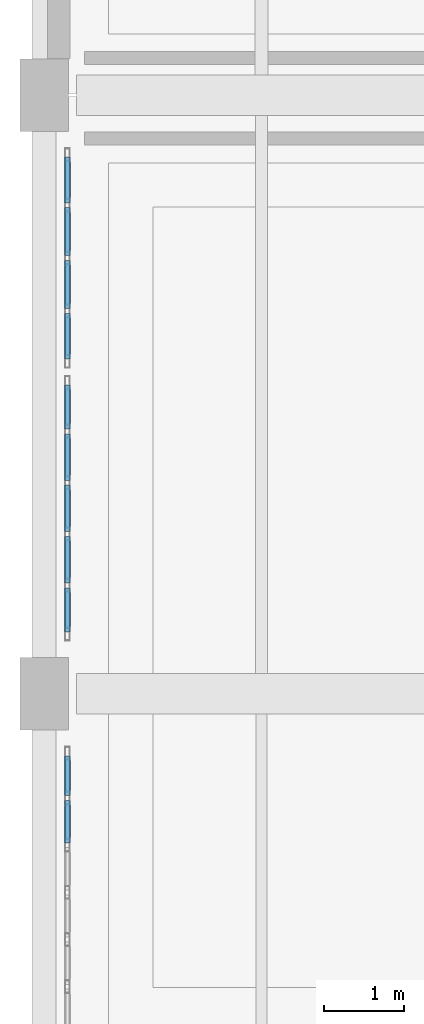
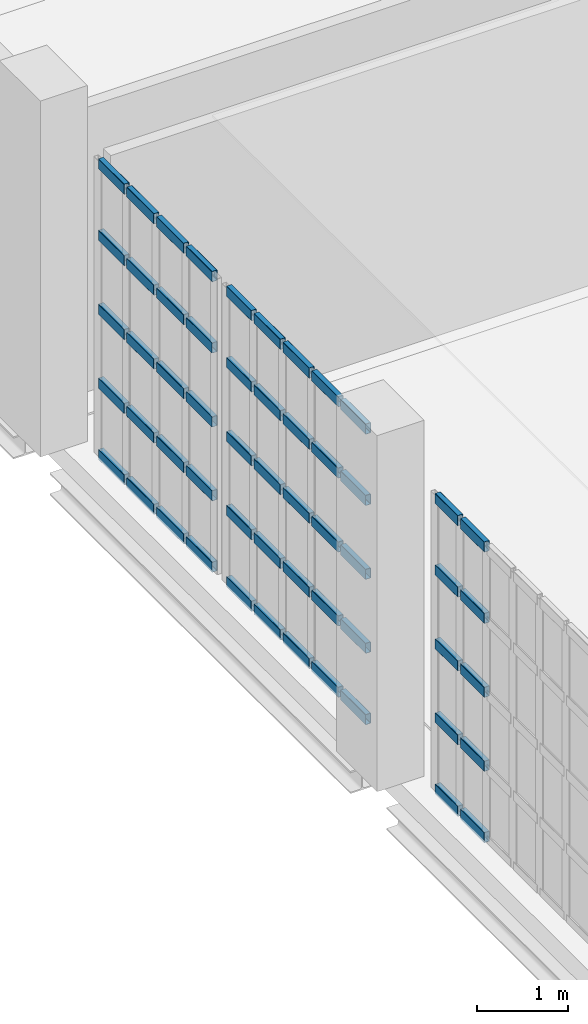
# One storey, part 56 of 104: 55 members, 3 elements without a shape of their own.
"""IFC4 building model written with IfcOpenShell, lengths in metres."""

from ifc_helpers import new_model, si_unit, direction, frame, origin, origin_2d, place, context, subcontext, project, spatial, hollow_rectangle, extrude, material, material_profile, profile_set, type_object, element, aggregate, save


model = new_model("IFC4")

# Units and contexts
model_context = context("Model", 3, precision=1e-05, world=origin(), true_north=direction((0.0, 1.0)))
body_context = subcontext(model_context, "Body", "Model", "MODEL_VIEW")
ifc_project = project(units=[si_unit("LENGTHUNIT", "METRE"), si_unit("AREAUNIT", "SQUARE_METRE"), si_unit("VOLUMEUNIT", "CUBIC_METRE"), si_unit("PLANEANGLEUNIT", "RADIAN"), si_unit("MASSUNIT", "GRAM", prefix="KILO")], contexts=[model_context])

# Site, building, storey
site_placement = place(None, origin())
site = spatial("IfcSite", under=ifc_project, at=site_placement, CompositionType="ELEMENT")
building_placement = place(site_placement, origin())
building = spatial("IfcBuilding", under=site, at=building_placement, Name="Kaelora Sail Theatre", CompositionType="ELEMENT")
storey_placement = place(building_placement, frame((0.0, 0.0, 5.39990234375)))
storey = spatial("IfcBuildingStorey", under=building, at=storey_placement, Name="L01", CompositionType="ELEMENT", Elevation=5.39990234375)

# Curtain wall, members
ifc_material_1 = material(Name="Anodised aluminium and solar-control low-E IGU", Category="aluminium")
curtain_wall_type = type_object("IfcCurtainWallType", Name="ARC-CW-CW-PROW", PredefinedType="NOTDEFINED", material=ifc_material_1)
curtain_wall_1_placement = place(storey_placement, origin())
curtain_wall_1 = element("IfcCurtainWall", 1, at=curtain_wall_1_placement, inside=storey, type_object=curtain_wall_type, Name="Glazed Colonnade/Courtyard Curtain Wall FW1-W-L01-02", PredefinedType="NOTDEFINED")
ifc_material_2 = material(Name="Anodised aluminium 6063-T6", Category="aluminium")
ifc_material_profile = material_profile(ifc_material_2, hollow_rectangle(XDim=0.070068359375, YDim=0.139892578125, WallThickness=0.00390625, InnerFilletRadius=0.00390625, OuterFilletRadius=0.008056640625, at=origin_2d()), Name="ALU-TRAN 70x140x4")
ifc_profile_set = profile_set([ifc_material_profile], Name="Anodised aluminium 6063-T6")
member_type = type_object("IfcMemberType", Name="ARC-MEM-TR-140", PredefinedType="USERDEFINED", material=ifc_profile_set)
member_1_placement = place(storey_placement, frame((1.7900390625, 74.047607421875, 0.03515625), z_axis=(0.0, 1.0, 0.0), x_axis=(-1.0, 0.0, 0.0)))
member_1 = element("IfcMember", 2, at=member_1_placement, type_object=member_type, Name="CW-PROW transom 7.1", ObjectType="TRANSOM", PredefinedType="USERDEFINED", context=body_context, shape_type="SweptSolid", body=[
    extrude(hollow_rectangle(XDim=0.070068359375, YDim=0.139892578125, WallThickness=0.00390625, InnerFilletRadius=0.00390625, OuterFilletRadius=0.008056640625, at=origin_2d()), origin(), (0.0, 0.0, 1.0), 0.526123046875),
])
member_2_placement = place(storey_placement, frame((1.7900390625, 74.047607421875, 0.996826171875), z_axis=(0.0, 1.0, 0.0), x_axis=(-1.0, 0.0, 0.0)))
member_2 = element("IfcMember", 3, at=member_2_placement, type_object=member_type, Name="CW-PROW transom 7.2", ObjectType="TRANSOM", PredefinedType="USERDEFINED", context=body_context, shape_type="SweptSolid", body=[
    extrude(hollow_rectangle(XDim=0.070068359375, YDim=0.139892578125, WallThickness=0.00390625, InnerFilletRadius=0.00390625, OuterFilletRadius=0.008056640625, at=origin_2d()), origin(), (0.0, 0.0, 1.0), 0.526123046875),
])
member_3_placement = place(storey_placement, frame((1.7900390625, 74.047607421875, 1.99365234375), z_axis=(0.0, 1.0, 0.0), x_axis=(-1.0, 0.0, 0.0)))
member_3 = element("IfcMember", 4, at=member_3_placement, type_object=member_type, Name="CW-PROW transom 7.3", ObjectType="TRANSOM", PredefinedType="USERDEFINED", context=body_context, shape_type="SweptSolid", body=[
    extrude(hollow_rectangle(XDim=0.070068359375, YDim=0.139892578125, WallThickness=0.00390625, InnerFilletRadius=0.00390625, OuterFilletRadius=0.008056640625, at=origin_2d()), origin(), (0.0, 0.0, 1.0), 0.526123046875),
])
member_4_placement = place(storey_placement, frame((1.7900390625, 74.047607421875, 2.990234375), z_axis=(0.0, 1.0, 0.0), x_axis=(-1.0, 0.0, 0.0)))
member_4 = element("IfcMember", 5, at=member_4_placement, type_object=member_type, Name="CW-PROW transom 7.4", ObjectType="TRANSOM", PredefinedType="USERDEFINED", context=body_context, shape_type="SweptSolid", body=[
    extrude(hollow_rectangle(XDim=0.070068359375, YDim=0.139892578125, WallThickness=0.00390625, InnerFilletRadius=0.00390625, OuterFilletRadius=0.008056640625, at=origin_2d()), origin(), (0.0, 0.0, 1.0), 0.526123046875),
])
member_5_placement = place(storey_placement, frame((1.7900390625, 74.047607421875, 3.9521484375), z_axis=(0.0, 1.0, 0.0), x_axis=(-1.0, 0.0, 0.0)))
member_5 = element("IfcMember", 6, at=member_5_placement, type_object=member_type, Name="CW-PROW transom 7.5", ObjectType="TRANSOM", PredefinedType="USERDEFINED", context=body_context, shape_type="SweptSolid", body=[
    extrude(hollow_rectangle(XDim=0.070068359375, YDim=0.139892578125, WallThickness=0.00390625, InnerFilletRadius=0.00390625, OuterFilletRadius=0.008056640625, at=origin_2d()), origin(), (0.0, 0.0, 1.0), 0.526123046875),
])
member_6_placement = place(storey_placement, frame((1.7900390625, 74.6337890625, 0.03515625), z_axis=(0.0, 1.0, 0.0), x_axis=(-1.0, 0.0, 0.0)))
member_6 = element("IfcMember", 7, at=member_6_placement, type_object=member_type, Name="CW-PROW transom 8.1", ObjectType="TRANSOM", PredefinedType="USERDEFINED", context=body_context, shape_type="SweptSolid", body=[
    extrude(hollow_rectangle(XDim=0.070068359375, YDim=0.139892578125, WallThickness=0.00390625, InnerFilletRadius=0.00390625, OuterFilletRadius=0.008056640625, at=origin_2d()), origin(), (0.0, 0.0, 1.0), 0.49609375),
])
member_7_placement = place(storey_placement, frame((1.7900390625, 74.6337890625, 0.996826171875), z_axis=(0.0, 1.0, 0.0), x_axis=(-1.0, 0.0, 0.0)))
member_7 = element("IfcMember", 8, at=member_7_placement, type_object=member_type, Name="CW-PROW transom 8.2", ObjectType="TRANSOM", PredefinedType="USERDEFINED", context=body_context, shape_type="SweptSolid", body=[
    extrude(hollow_rectangle(XDim=0.070068359375, YDim=0.139892578125, WallThickness=0.00390625, InnerFilletRadius=0.00390625, OuterFilletRadius=0.008056640625, at=origin_2d()), origin(), (0.0, 0.0, 1.0), 0.49609375),
])
member_8_placement = place(storey_placement, frame((1.7900390625, 74.6337890625, 1.99365234375), z_axis=(0.0, 1.0, 0.0), x_axis=(-1.0, 0.0, 0.0)))
member_8 = element("IfcMember", 9, at=member_8_placement, type_object=member_type, Name="CW-PROW transom 8.3", ObjectType="TRANSOM", PredefinedType="USERDEFINED", context=body_context, shape_type="SweptSolid", body=[
    extrude(hollow_rectangle(XDim=0.070068359375, YDim=0.139892578125, WallThickness=0.00390625, InnerFilletRadius=0.00390625, OuterFilletRadius=0.008056640625, at=origin_2d()), origin(), (0.0, 0.0, 1.0), 0.49609375),
])
member_9_placement = place(storey_placement, frame((1.7900390625, 74.6337890625, 2.990234375), z_axis=(0.0, 1.0, 0.0), x_axis=(-1.0, 0.0, 0.0)))
member_9 = element("IfcMember", 10, at=member_9_placement, type_object=member_type, Name="CW-PROW transom 8.4", ObjectType="TRANSOM", PredefinedType="USERDEFINED", context=body_context, shape_type="SweptSolid", body=[
    extrude(hollow_rectangle(XDim=0.070068359375, YDim=0.139892578125, WallThickness=0.00390625, InnerFilletRadius=0.00390625, OuterFilletRadius=0.008056640625, at=origin_2d()), origin(), (0.0, 0.0, 1.0), 0.49609375),
])
member_10_placement = place(storey_placement, frame((1.7900390625, 74.6337890625, 3.9521484375), z_axis=(0.0, 1.0, 0.0), x_axis=(-1.0, 0.0, 0.0)))
member_10 = element("IfcMember", 11, at=member_10_placement, type_object=member_type, Name="CW-PROW transom 8.5", ObjectType="TRANSOM", PredefinedType="USERDEFINED", context=body_context, shape_type="SweptSolid", body=[
    extrude(hollow_rectangle(XDim=0.070068359375, YDim=0.139892578125, WallThickness=0.00390625, InnerFilletRadius=0.00390625, OuterFilletRadius=0.008056640625, at=origin_2d()), origin(), (0.0, 0.0, 1.0), 0.49609375),
])
aggregate(curtain_wall_1, [member_1, member_2, member_3, member_4, member_5, member_6, member_7, member_8, member_9, member_10])

curtain_wall_2_placement = place(storey_placement, origin())
curtain_wall_2 = element("IfcCurtainWall", 12, at=curtain_wall_2_placement, inside=storey, type_object=curtain_wall_type, Name="Glazed Colonnade/Courtyard Curtain Wall FW1-W-L01-03", PredefinedType="NOTDEFINED")
member_11_placement = place(storey_placement, frame((1.7900390625, 76.669921875, 0.03515625), z_axis=(0.0, 1.0, 0.0), x_axis=(-1.0, 0.0, 0.0)))
member_11 = element("IfcMember", 13, at=member_11_placement, type_object=member_type, Name="CW-PROW transom 1.1", ObjectType="TRANSOM", PredefinedType="USERDEFINED", context=body_context, shape_type="SweptSolid", body=[
    extrude(hollow_rectangle(XDim=0.070068359375, YDim=0.139892578125, WallThickness=0.00390625, InnerFilletRadius=0.00390625, OuterFilletRadius=0.008056640625, at=origin_2d()), origin(), (0.0, 0.0, 1.0), 0.548095703125),
])
member_12_placement = place(storey_placement, frame((1.7900390625, 76.669921875, 0.996826171875), z_axis=(0.0, 1.0, 0.0), x_axis=(-1.0, 0.0, 0.0)))
member_12 = element("IfcMember", 14, at=member_12_placement, type_object=member_type, Name="CW-PROW transom 1.2", ObjectType="TRANSOM", PredefinedType="USERDEFINED", context=body_context, shape_type="SweptSolid", body=[
    extrude(hollow_rectangle(XDim=0.070068359375, YDim=0.139892578125, WallThickness=0.00390625, InnerFilletRadius=0.00390625, OuterFilletRadius=0.008056640625, at=origin_2d()), origin(), (0.0, 0.0, 1.0), 0.548095703125),
])
member_13_placement = place(storey_placement, frame((1.7900390625, 76.669921875, 1.99365234375), z_axis=(0.0, 1.0, 0.0), x_axis=(-1.0, 0.0, 0.0)))
member_13 = element("IfcMember", 15, at=member_13_placement, type_object=member_type, Name="CW-PROW transom 1.3", ObjectType="TRANSOM", PredefinedType="USERDEFINED", context=body_context, shape_type="SweptSolid", body=[
    extrude(hollow_rectangle(XDim=0.070068359375, YDim=0.139892578125, WallThickness=0.00390625, InnerFilletRadius=0.00390625, OuterFilletRadius=0.008056640625, at=origin_2d()), origin(), (0.0, 0.0, 1.0), 0.548095703125),
])
member_14_placement = place(storey_placement, frame((1.7900390625, 76.669921875, 2.990234375), z_axis=(0.0, 1.0, 0.0), x_axis=(-1.0, 0.0, 0.0)))
member_14 = element("IfcMember", 16, at=member_14_placement, type_object=member_type, Name="CW-PROW transom 1.4", ObjectType="TRANSOM", PredefinedType="USERDEFINED", context=body_context, shape_type="SweptSolid", body=[
    extrude(hollow_rectangle(XDim=0.070068359375, YDim=0.139892578125, WallThickness=0.00390625, InnerFilletRadius=0.00390625, OuterFilletRadius=0.008056640625, at=origin_2d()), origin(), (0.0, 0.0, 1.0), 0.548095703125),
])
member_15_placement = place(storey_placement, frame((1.7900390625, 76.669921875, 3.9521484375), z_axis=(0.0, 1.0, 0.0), x_axis=(-1.0, 0.0, 0.0)))
member_15 = element("IfcMember", 17, at=member_15_placement, type_object=member_type, Name="CW-PROW transom 1.5", ObjectType="TRANSOM", PredefinedType="USERDEFINED", context=body_context, shape_type="SweptSolid", body=[
    extrude(hollow_rectangle(XDim=0.070068359375, YDim=0.139892578125, WallThickness=0.00390625, InnerFilletRadius=0.00390625, OuterFilletRadius=0.008056640625, at=origin_2d()), origin(), (0.0, 0.0, 1.0), 0.548095703125),
])
member_16_placement = place(storey_placement, frame((1.7900390625, 77.278076171875, 0.03515625), z_axis=(0.0, 1.0, 0.0), x_axis=(-1.0, 0.0, 0.0)))
member_16 = element("IfcMember", 18, at=member_16_placement, type_object=member_type, Name="CW-PROW transom 2.1", ObjectType="TRANSOM", PredefinedType="USERDEFINED", context=body_context, shape_type="SweptSolid", body=[
    extrude(hollow_rectangle(XDim=0.070068359375, YDim=0.139892578125, WallThickness=0.00390625, InnerFilletRadius=0.00390625, OuterFilletRadius=0.008056640625, at=origin_2d()), origin(), (0.0, 0.0, 1.0), 0.577880859375),
])
member_17_placement = place(storey_placement, frame((1.7900390625, 77.278076171875, 0.996826171875), z_axis=(0.0, 1.0, 0.0), x_axis=(-1.0, 0.0, 0.0)))
member_17 = element("IfcMember", 19, at=member_17_placement, type_object=member_type, Name="CW-PROW transom 2.2", ObjectType="TRANSOM", PredefinedType="USERDEFINED", context=body_context, shape_type="SweptSolid", body=[
    extrude(hollow_rectangle(XDim=0.070068359375, YDim=0.139892578125, WallThickness=0.00390625, InnerFilletRadius=0.00390625, OuterFilletRadius=0.008056640625, at=origin_2d()), origin(), (0.0, 0.0, 1.0), 0.577880859375),
])
member_18_placement = place(storey_placement, frame((1.7900390625, 77.278076171875, 1.99365234375), z_axis=(0.0, 1.0, 0.0), x_axis=(-1.0, 0.0, 0.0)))
member_18 = element("IfcMember", 20, at=member_18_placement, type_object=member_type, Name="CW-PROW transom 2.3", ObjectType="TRANSOM", PredefinedType="USERDEFINED", context=body_context, shape_type="SweptSolid", body=[
    extrude(hollow_rectangle(XDim=0.070068359375, YDim=0.139892578125, WallThickness=0.00390625, InnerFilletRadius=0.00390625, OuterFilletRadius=0.008056640625, at=origin_2d()), origin(), (0.0, 0.0, 1.0), 0.577880859375),
])
member_19_placement = place(storey_placement, frame((1.7900390625, 77.278076171875, 2.990234375), z_axis=(0.0, 1.0, 0.0), x_axis=(-1.0, 0.0, 0.0)))
member_19 = element("IfcMember", 21, at=member_19_placement, type_object=member_type, Name="CW-PROW transom 2.4", ObjectType="TRANSOM", PredefinedType="USERDEFINED", context=body_context, shape_type="SweptSolid", body=[
    extrude(hollow_rectangle(XDim=0.070068359375, YDim=0.139892578125, WallThickness=0.00390625, InnerFilletRadius=0.00390625, OuterFilletRadius=0.008056640625, at=origin_2d()), origin(), (0.0, 0.0, 1.0), 0.577880859375),
])
member_20_placement = place(storey_placement, frame((1.7900390625, 77.278076171875, 3.9521484375), z_axis=(0.0, 1.0, 0.0), x_axis=(-1.0, 0.0, 0.0)))
member_20 = element("IfcMember", 22, at=member_20_placement, type_object=member_type, Name="CW-PROW transom 2.5", ObjectType="TRANSOM", PredefinedType="USERDEFINED", context=body_context, shape_type="SweptSolid", body=[
    extrude(hollow_rectangle(XDim=0.070068359375, YDim=0.139892578125, WallThickness=0.00390625, InnerFilletRadius=0.00390625, OuterFilletRadius=0.008056640625, at=origin_2d()), origin(), (0.0, 0.0, 1.0), 0.577880859375),
])
member_21_placement = place(storey_placement, frame((1.7900390625, 77.916015625, 0.03515625), z_axis=(0.0, 1.0, 0.0), x_axis=(-1.0, 0.0, 0.0)))
member_21 = element("IfcMember", 23, at=member_21_placement, type_object=member_type, Name="CW-PROW transom 3.1", ObjectType="TRANSOM", PredefinedType="USERDEFINED", context=body_context, shape_type="SweptSolid", body=[
    extrude(hollow_rectangle(XDim=0.070068359375, YDim=0.139892578125, WallThickness=0.00390625, InnerFilletRadius=0.00390625, OuterFilletRadius=0.008056640625, at=origin_2d()), origin(), (0.0, 0.0, 1.0), 0.577880859375),
])
member_22_placement = place(storey_placement, frame((1.7900390625, 77.916015625, 0.996826171875), z_axis=(0.0, 1.0, 0.0), x_axis=(-1.0, 0.0, 0.0)))
member_22 = element("IfcMember", 24, at=member_22_placement, type_object=member_type, Name="CW-PROW transom 3.2", ObjectType="TRANSOM", PredefinedType="USERDEFINED", context=body_context, shape_type="SweptSolid", body=[
    extrude(hollow_rectangle(XDim=0.070068359375, YDim=0.139892578125, WallThickness=0.00390625, InnerFilletRadius=0.00390625, OuterFilletRadius=0.008056640625, at=origin_2d()), origin(), (0.0, 0.0, 1.0), 0.577880859375),
])
member_23_placement = place(storey_placement, frame((1.7900390625, 77.916015625, 1.99365234375), z_axis=(0.0, 1.0, 0.0), x_axis=(-1.0, 0.0, 0.0)))
member_23 = element("IfcMember", 25, at=member_23_placement, type_object=member_type, Name="CW-PROW transom 3.3", ObjectType="TRANSOM", PredefinedType="USERDEFINED", context=body_context, shape_type="SweptSolid", body=[
    extrude(hollow_rectangle(XDim=0.070068359375, YDim=0.139892578125, WallThickness=0.00390625, InnerFilletRadius=0.00390625, OuterFilletRadius=0.008056640625, at=origin_2d()), origin(), (0.0, 0.0, 1.0), 0.577880859375),
])
member_24_placement = place(storey_placement, frame((1.7900390625, 77.916015625, 2.990234375), z_axis=(0.0, 1.0, 0.0), x_axis=(-1.0, 0.0, 0.0)))
member_24 = element("IfcMember", 26, at=member_24_placement, type_object=member_type, Name="CW-PROW transom 3.4", ObjectType="TRANSOM", PredefinedType="USERDEFINED", context=body_context, shape_type="SweptSolid", body=[
    extrude(hollow_rectangle(XDim=0.070068359375, YDim=0.139892578125, WallThickness=0.00390625, InnerFilletRadius=0.00390625, OuterFilletRadius=0.008056640625, at=origin_2d()), origin(), (0.0, 0.0, 1.0), 0.577880859375),
])
member_25_placement = place(storey_placement, frame((1.7900390625, 77.916015625, 3.9521484375), z_axis=(0.0, 1.0, 0.0), x_axis=(-1.0, 0.0, 0.0)))
member_25 = element("IfcMember", 27, at=member_25_placement, type_object=member_type, Name="CW-PROW transom 3.5", ObjectType="TRANSOM", PredefinedType="USERDEFINED", context=body_context, shape_type="SweptSolid", body=[
    extrude(hollow_rectangle(XDim=0.070068359375, YDim=0.139892578125, WallThickness=0.00390625, InnerFilletRadius=0.00390625, OuterFilletRadius=0.008056640625, at=origin_2d()), origin(), (0.0, 0.0, 1.0), 0.577880859375),
])
member_26_placement = place(storey_placement, frame((1.7900390625, 78.553955078125, 0.03515625), z_axis=(0.0, 1.0, 0.0), x_axis=(-1.0, 0.0, 0.0)))
member_26 = element("IfcMember", 28, at=member_26_placement, type_object=member_type, Name="CW-PROW transom 4.1", ObjectType="TRANSOM", PredefinedType="USERDEFINED", context=body_context, shape_type="SweptSolid", body=[
    extrude(hollow_rectangle(XDim=0.070068359375, YDim=0.139892578125, WallThickness=0.00390625, InnerFilletRadius=0.00390625, OuterFilletRadius=0.008056640625, at=origin_2d()), origin(), (0.0, 0.0, 1.0), 0.578125),
])
member_27_placement = place(storey_placement, frame((1.7900390625, 78.553955078125, 0.996826171875), z_axis=(0.0, 1.0, 0.0), x_axis=(-1.0, 0.0, 0.0)))
member_27 = element("IfcMember", 29, at=member_27_placement, type_object=member_type, Name="CW-PROW transom 4.2", ObjectType="TRANSOM", PredefinedType="USERDEFINED", context=body_context, shape_type="SweptSolid", body=[
    extrude(hollow_rectangle(XDim=0.070068359375, YDim=0.139892578125, WallThickness=0.00390625, InnerFilletRadius=0.00390625, OuterFilletRadius=0.008056640625, at=origin_2d()), origin(), (0.0, 0.0, 1.0), 0.578125),
])
member_28_placement = place(storey_placement, frame((1.7900390625, 78.553955078125, 1.99365234375), z_axis=(0.0, 1.0, 0.0), x_axis=(-1.0, 0.0, 0.0)))
member_28 = element("IfcMember", 30, at=member_28_placement, type_object=member_type, Name="CW-PROW transom 4.3", ObjectType="TRANSOM", PredefinedType="USERDEFINED", context=body_context, shape_type="SweptSolid", body=[
    extrude(hollow_rectangle(XDim=0.070068359375, YDim=0.139892578125, WallThickness=0.00390625, InnerFilletRadius=0.00390625, OuterFilletRadius=0.008056640625, at=origin_2d()), origin(), (0.0, 0.0, 1.0), 0.578125),
])
member_29_placement = place(storey_placement, frame((1.7900390625, 78.553955078125, 2.990234375), z_axis=(0.0, 1.0, 0.0), x_axis=(-1.0, 0.0, 0.0)))
member_29 = element("IfcMember", 31, at=member_29_placement, type_object=member_type, Name="CW-PROW transom 4.4", ObjectType="TRANSOM", PredefinedType="USERDEFINED", context=body_context, shape_type="SweptSolid", body=[
    extrude(hollow_rectangle(XDim=0.070068359375, YDim=0.139892578125, WallThickness=0.00390625, InnerFilletRadius=0.00390625, OuterFilletRadius=0.008056640625, at=origin_2d()), origin(), (0.0, 0.0, 1.0), 0.578125),
])
member_30_placement = place(storey_placement, frame((1.7900390625, 78.553955078125, 3.9521484375), z_axis=(0.0, 1.0, 0.0), x_axis=(-1.0, 0.0, 0.0)))
member_30 = element("IfcMember", 32, at=member_30_placement, type_object=member_type, Name="CW-PROW transom 4.5", ObjectType="TRANSOM", PredefinedType="USERDEFINED", context=body_context, shape_type="SweptSolid", body=[
    extrude(hollow_rectangle(XDim=0.070068359375, YDim=0.139892578125, WallThickness=0.00390625, InnerFilletRadius=0.00390625, OuterFilletRadius=0.008056640625, at=origin_2d()), origin(), (0.0, 0.0, 1.0), 0.578125),
])
member_31_placement = place(storey_placement, frame((1.7900390625, 79.19189453125, 0.03515625), z_axis=(0.0, 1.0, 0.0), x_axis=(-1.0, 0.0, 0.0)))
member_31 = element("IfcMember", 33, at=member_31_placement, type_object=member_type, Name="CW-PROW transom 5.1", ObjectType="TRANSOM", PredefinedType="USERDEFINED", context=body_context, shape_type="SweptSolid", body=[
    extrude(hollow_rectangle(XDim=0.070068359375, YDim=0.139892578125, WallThickness=0.00390625, InnerFilletRadius=0.00390625, OuterFilletRadius=0.008056640625, at=origin_2d()), origin(), (0.0, 0.0, 1.0), 0.548095703125),
])
member_32_placement = place(storey_placement, frame((1.7900390625, 79.19189453125, 0.996826171875), z_axis=(0.0, 1.0, 0.0), x_axis=(-1.0, 0.0, 0.0)))
member_32 = element("IfcMember", 34, at=member_32_placement, type_object=member_type, Name="CW-PROW transom 5.2", ObjectType="TRANSOM", PredefinedType="USERDEFINED", context=body_context, shape_type="SweptSolid", body=[
    extrude(hollow_rectangle(XDim=0.070068359375, YDim=0.139892578125, WallThickness=0.00390625, InnerFilletRadius=0.00390625, OuterFilletRadius=0.008056640625, at=origin_2d()), origin(), (0.0, 0.0, 1.0), 0.548095703125),
])
member_33_placement = place(storey_placement, frame((1.7900390625, 79.19189453125, 1.99365234375), z_axis=(0.0, 1.0, 0.0), x_axis=(-1.0, 0.0, 0.0)))
member_33 = element("IfcMember", 35, at=member_33_placement, type_object=member_type, Name="CW-PROW transom 5.3", ObjectType="TRANSOM", PredefinedType="USERDEFINED", context=body_context, shape_type="SweptSolid", body=[
    extrude(hollow_rectangle(XDim=0.070068359375, YDim=0.139892578125, WallThickness=0.00390625, InnerFilletRadius=0.00390625, OuterFilletRadius=0.008056640625, at=origin_2d()), origin(), (0.0, 0.0, 1.0), 0.548095703125),
])
member_34_placement = place(storey_placement, frame((1.7900390625, 79.19189453125, 2.990234375), z_axis=(0.0, 1.0, 0.0), x_axis=(-1.0, 0.0, 0.0)))
member_34 = element("IfcMember", 36, at=member_34_placement, type_object=member_type, Name="CW-PROW transom 5.4", ObjectType="TRANSOM", PredefinedType="USERDEFINED", context=body_context, shape_type="SweptSolid", body=[
    extrude(hollow_rectangle(XDim=0.070068359375, YDim=0.139892578125, WallThickness=0.00390625, InnerFilletRadius=0.00390625, OuterFilletRadius=0.008056640625, at=origin_2d()), origin(), (0.0, 0.0, 1.0), 0.548095703125),
])
member_35_placement = place(storey_placement, frame((1.7900390625, 79.19189453125, 3.9521484375), z_axis=(0.0, 1.0, 0.0), x_axis=(-1.0, 0.0, 0.0)))
member_35 = element("IfcMember", 37, at=member_35_placement, type_object=member_type, Name="CW-PROW transom 5.5", ObjectType="TRANSOM", PredefinedType="USERDEFINED", context=body_context, shape_type="SweptSolid", body=[
    extrude(hollow_rectangle(XDim=0.070068359375, YDim=0.139892578125, WallThickness=0.00390625, InnerFilletRadius=0.00390625, OuterFilletRadius=0.008056640625, at=origin_2d()), origin(), (0.0, 0.0, 1.0), 0.548095703125),
])
aggregate(curtain_wall_2, [member_11, member_12, member_13, member_14, member_15, member_16, member_17, member_18, member_19, member_20, member_21, member_22, member_23, member_24, member_25, member_26, member_27, member_28, member_29, member_30, member_31, member_32, member_33, member_34, member_35])

curtain_wall_3_placement = place(storey_placement, origin())
curtain_wall_3 = element("IfcCurtainWall", 38, at=curtain_wall_3_placement, inside=storey, type_object=curtain_wall_type, Name="Glazed Colonnade/Courtyard Curtain Wall FW1-W-L01-04", PredefinedType="NOTDEFINED")
member_36_placement = place(storey_placement, frame((1.7900390625, 80.06005859375, 0.03515625), z_axis=(0.0, 1.0, 0.0), x_axis=(-1.0, 0.0, 0.0)))
member_36 = element("IfcMember", 39, at=member_36_placement, type_object=member_type, Name="CW-PROW transom 1.1", ObjectType="TRANSOM", PredefinedType="USERDEFINED", context=body_context, shape_type="SweptSolid", body=[
    extrude(hollow_rectangle(XDim=0.070068359375, YDim=0.139892578125, WallThickness=0.00390625, InnerFilletRadius=0.00390625, OuterFilletRadius=0.008056640625, at=origin_2d()), origin(), (0.0, 0.0, 1.0), 0.5673828125),
])
member_37_placement = place(storey_placement, frame((1.7900390625, 80.06005859375, 0.996826171875), z_axis=(0.0, 1.0, 0.0), x_axis=(-1.0, 0.0, 0.0)))
member_37 = element("IfcMember", 40, at=member_37_placement, type_object=member_type, Name="CW-PROW transom 1.2", ObjectType="TRANSOM", PredefinedType="USERDEFINED", context=body_context, shape_type="SweptSolid", body=[
    extrude(hollow_rectangle(XDim=0.070068359375, YDim=0.139892578125, WallThickness=0.00390625, InnerFilletRadius=0.00390625, OuterFilletRadius=0.008056640625, at=origin_2d()), origin(), (0.0, 0.0, 1.0), 0.5673828125),
])
member_38_placement = place(storey_placement, frame((1.7900390625, 80.06005859375, 1.99365234375), z_axis=(0.0, 1.0, 0.0), x_axis=(-1.0, 0.0, 0.0)))
member_38 = element("IfcMember", 41, at=member_38_placement, type_object=member_type, Name="CW-PROW transom 1.3", ObjectType="TRANSOM", PredefinedType="USERDEFINED", context=body_context, shape_type="SweptSolid", body=[
    extrude(hollow_rectangle(XDim=0.070068359375, YDim=0.139892578125, WallThickness=0.00390625, InnerFilletRadius=0.00390625, OuterFilletRadius=0.008056640625, at=origin_2d()), origin(), (0.0, 0.0, 1.0), 0.5673828125),
])
member_39_placement = place(storey_placement, frame((1.7900390625, 80.06005859375, 2.990234375), z_axis=(0.0, 1.0, 0.0), x_axis=(-1.0, 0.0, 0.0)))
member_39 = element("IfcMember", 42, at=member_39_placement, type_object=member_type, Name="CW-PROW transom 1.4", ObjectType="TRANSOM", PredefinedType="USERDEFINED", context=body_context, shape_type="SweptSolid", body=[
    extrude(hollow_rectangle(XDim=0.070068359375, YDim=0.139892578125, WallThickness=0.00390625, InnerFilletRadius=0.00390625, OuterFilletRadius=0.008056640625, at=origin_2d()), origin(), (0.0, 0.0, 1.0), 0.5673828125),
])
member_40_placement = place(storey_placement, frame((1.7900390625, 80.06005859375, 3.9521484375), z_axis=(0.0, 1.0, 0.0), x_axis=(-1.0, 0.0, 0.0)))
member_40 = element("IfcMember", 43, at=member_40_placement, type_object=member_type, Name="CW-PROW transom 1.5", ObjectType="TRANSOM", PredefinedType="USERDEFINED", context=body_context, shape_type="SweptSolid", body=[
    extrude(hollow_rectangle(XDim=0.070068359375, YDim=0.139892578125, WallThickness=0.00390625, InnerFilletRadius=0.00390625, OuterFilletRadius=0.008056640625, at=origin_2d()), origin(), (0.0, 0.0, 1.0), 0.5673828125),
])
member_41_placement = place(storey_placement, frame((1.7900390625, 80.6875, 0.03515625), z_axis=(0.0, 1.0, 0.0), x_axis=(-1.0, 0.0, 0.0)))
member_41 = element("IfcMember", 44, at=member_41_placement, type_object=member_type, Name="CW-PROW transom 2.1", ObjectType="TRANSOM", PredefinedType="USERDEFINED", context=body_context, shape_type="SweptSolid", body=[
    extrude(hollow_rectangle(XDim=0.070068359375, YDim=0.139892578125, WallThickness=0.00390625, InnerFilletRadius=0.00390625, OuterFilletRadius=0.008056640625, at=origin_2d()), origin(), (0.0, 0.0, 1.0), 0.597412109375),
])
member_42_placement = place(storey_placement, frame((1.7900390625, 80.6875, 0.996826171875), z_axis=(0.0, 1.0, 0.0), x_axis=(-1.0, 0.0, 0.0)))
member_42 = element("IfcMember", 45, at=member_42_placement, type_object=member_type, Name="CW-PROW transom 2.2", ObjectType="TRANSOM", PredefinedType="USERDEFINED", context=body_context, shape_type="SweptSolid", body=[
    extrude(hollow_rectangle(XDim=0.070068359375, YDim=0.139892578125, WallThickness=0.00390625, InnerFilletRadius=0.00390625, OuterFilletRadius=0.008056640625, at=origin_2d()), origin(), (0.0, 0.0, 1.0), 0.597412109375),
])
member_43_placement = place(storey_placement, frame((1.7900390625, 80.6875, 1.99365234375), z_axis=(0.0, 1.0, 0.0), x_axis=(-1.0, 0.0, 0.0)))
member_43 = element("IfcMember", 46, at=member_43_placement, type_object=member_type, Name="CW-PROW transom 2.3", ObjectType="TRANSOM", PredefinedType="USERDEFINED", context=body_context, shape_type="SweptSolid", body=[
    extrude(hollow_rectangle(XDim=0.070068359375, YDim=0.139892578125, WallThickness=0.00390625, InnerFilletRadius=0.00390625, OuterFilletRadius=0.008056640625, at=origin_2d()), origin(), (0.0, 0.0, 1.0), 0.597412109375),
])
member_44_placement = place(storey_placement, frame((1.7900390625, 80.6875, 2.990234375), z_axis=(0.0, 1.0, 0.0), x_axis=(-1.0, 0.0, 0.0)))
member_44 = element("IfcMember", 47, at=member_44_placement, type_object=member_type, Name="CW-PROW transom 2.4", ObjectType="TRANSOM", PredefinedType="USERDEFINED", context=body_context, shape_type="SweptSolid", body=[
    extrude(hollow_rectangle(XDim=0.070068359375, YDim=0.139892578125, WallThickness=0.00390625, InnerFilletRadius=0.00390625, OuterFilletRadius=0.008056640625, at=origin_2d()), origin(), (0.0, 0.0, 1.0), 0.597412109375),
])
member_45_placement = place(storey_placement, frame((1.7900390625, 80.6875, 3.9521484375), z_axis=(0.0, 1.0, 0.0), x_axis=(-1.0, 0.0, 0.0)))
member_45 = element("IfcMember", 48, at=member_45_placement, type_object=member_type, Name="CW-PROW transom 2.5", ObjectType="TRANSOM", PredefinedType="USERDEFINED", context=body_context, shape_type="SweptSolid", body=[
    extrude(hollow_rectangle(XDim=0.070068359375, YDim=0.139892578125, WallThickness=0.00390625, InnerFilletRadius=0.00390625, OuterFilletRadius=0.008056640625, at=origin_2d()), origin(), (0.0, 0.0, 1.0), 0.597412109375),
])
member_46_placement = place(storey_placement, frame((1.7900390625, 81.344970703125, 0.03515625), z_axis=(0.0, 1.0, 0.0), x_axis=(-1.0, 0.0, 0.0)))
member_46 = element("IfcMember", 49, at=member_46_placement, type_object=member_type, Name="CW-PROW transom 3.1", ObjectType="TRANSOM", PredefinedType="USERDEFINED", context=body_context, shape_type="SweptSolid", body=[
    extrude(hollow_rectangle(XDim=0.070068359375, YDim=0.139892578125, WallThickness=0.00390625, InnerFilletRadius=0.00390625, OuterFilletRadius=0.008056640625, at=origin_2d()), origin(), (0.0, 0.0, 1.0), 0.597412109375),
])
member_47_placement = place(storey_placement, frame((1.7900390625, 81.344970703125, 0.996826171875), z_axis=(0.0, 1.0, 0.0), x_axis=(-1.0, 0.0, 0.0)))
member_47 = element("IfcMember", 50, at=member_47_placement, type_object=member_type, Name="CW-PROW transom 3.2", ObjectType="TRANSOM", PredefinedType="USERDEFINED", context=body_context, shape_type="SweptSolid", body=[
    extrude(hollow_rectangle(XDim=0.070068359375, YDim=0.139892578125, WallThickness=0.00390625, InnerFilletRadius=0.00390625, OuterFilletRadius=0.008056640625, at=origin_2d()), origin(), (0.0, 0.0, 1.0), 0.597412109375),
])
member_48_placement = place(storey_placement, frame((1.7900390625, 81.344970703125, 1.99365234375), z_axis=(0.0, 1.0, 0.0), x_axis=(-1.0, 0.0, 0.0)))
member_48 = element("IfcMember", 51, at=member_48_placement, type_object=member_type, Name="CW-PROW transom 3.3", ObjectType="TRANSOM", PredefinedType="USERDEFINED", context=body_context, shape_type="SweptSolid", body=[
    extrude(hollow_rectangle(XDim=0.070068359375, YDim=0.139892578125, WallThickness=0.00390625, InnerFilletRadius=0.00390625, OuterFilletRadius=0.008056640625, at=origin_2d()), origin(), (0.0, 0.0, 1.0), 0.597412109375),
])
member_49_placement = place(storey_placement, frame((1.7900390625, 81.344970703125, 2.990234375), z_axis=(0.0, 1.0, 0.0), x_axis=(-1.0, 0.0, 0.0)))
member_49 = element("IfcMember", 52, at=member_49_placement, type_object=member_type, Name="CW-PROW transom 3.4", ObjectType="TRANSOM", PredefinedType="USERDEFINED", context=body_context, shape_type="SweptSolid", body=[
    extrude(hollow_rectangle(XDim=0.070068359375, YDim=0.139892578125, WallThickness=0.00390625, InnerFilletRadius=0.00390625, OuterFilletRadius=0.008056640625, at=origin_2d()), origin(), (0.0, 0.0, 1.0), 0.597412109375),
])
member_50_placement = place(storey_placement, frame((1.7900390625, 81.344970703125, 3.9521484375), z_axis=(0.0, 1.0, 0.0), x_axis=(-1.0, 0.0, 0.0)))
member_50 = element("IfcMember", 53, at=member_50_placement, type_object=member_type, Name="CW-PROW transom 3.5", ObjectType="TRANSOM", PredefinedType="USERDEFINED", context=body_context, shape_type="SweptSolid", body=[
    extrude(hollow_rectangle(XDim=0.070068359375, YDim=0.139892578125, WallThickness=0.00390625, InnerFilletRadius=0.00390625, OuterFilletRadius=0.008056640625, at=origin_2d()), origin(), (0.0, 0.0, 1.0), 0.597412109375),
])
member_51_placement = place(storey_placement, frame((1.7900390625, 82.00244140625, 0.03515625), z_axis=(0.0, 1.0, 0.0), x_axis=(-1.0, 0.0, 0.0)))
member_51 = element("IfcMember", 54, at=member_51_placement, type_object=member_type, Name="CW-PROW transom 4.1", ObjectType="TRANSOM", PredefinedType="USERDEFINED", context=body_context, shape_type="SweptSolid", body=[
    extrude(hollow_rectangle(XDim=0.070068359375, YDim=0.139892578125, WallThickness=0.00390625, InnerFilletRadius=0.00390625, OuterFilletRadius=0.008056640625, at=origin_2d()), origin(), (0.0, 0.0, 1.0), 0.567626953125),
])
member_52_placement = place(storey_placement, frame((1.7900390625, 82.00244140625, 0.996826171875), z_axis=(0.0, 1.0, 0.0), x_axis=(-1.0, 0.0, 0.0)))
member_52 = element("IfcMember", 55, at=member_52_placement, type_object=member_type, Name="CW-PROW transom 4.2", ObjectType="TRANSOM", PredefinedType="USERDEFINED", context=body_context, shape_type="SweptSolid", body=[
    extrude(hollow_rectangle(XDim=0.070068359375, YDim=0.139892578125, WallThickness=0.00390625, InnerFilletRadius=0.00390625, OuterFilletRadius=0.008056640625, at=origin_2d()), origin(), (0.0, 0.0, 1.0), 0.567626953125),
])
member_53_placement = place(storey_placement, frame((1.7900390625, 82.00244140625, 1.99365234375), z_axis=(0.0, 1.0, 0.0), x_axis=(-1.0, 0.0, 0.0)))
member_53 = element("IfcMember", 56, at=member_53_placement, type_object=member_type, Name="CW-PROW transom 4.3", ObjectType="TRANSOM", PredefinedType="USERDEFINED", context=body_context, shape_type="SweptSolid", body=[
    extrude(hollow_rectangle(XDim=0.070068359375, YDim=0.139892578125, WallThickness=0.00390625, InnerFilletRadius=0.00390625, OuterFilletRadius=0.008056640625, at=origin_2d()), origin(), (0.0, 0.0, 1.0), 0.567626953125),
])
member_54_placement = place(storey_placement, frame((1.7900390625, 82.00244140625, 2.990234375), z_axis=(0.0, 1.0, 0.0), x_axis=(-1.0, 0.0, 0.0)))
member_54 = element("IfcMember", 57, at=member_54_placement, type_object=member_type, Name="CW-PROW transom 4.4", ObjectType="TRANSOM", PredefinedType="USERDEFINED", context=body_context, shape_type="SweptSolid", body=[
    extrude(hollow_rectangle(XDim=0.070068359375, YDim=0.139892578125, WallThickness=0.00390625, InnerFilletRadius=0.00390625, OuterFilletRadius=0.008056640625, at=origin_2d()), origin(), (0.0, 0.0, 1.0), 0.567626953125),
])
member_55_placement = place(storey_placement, frame((1.7900390625, 82.00244140625, 3.9521484375), z_axis=(0.0, 1.0, 0.0), x_axis=(-1.0, 0.0, 0.0)))
member_55 = element("IfcMember", 58, at=member_55_placement, type_object=member_type, Name="CW-PROW transom 4.5", ObjectType="TRANSOM", PredefinedType="USERDEFINED", context=body_context, shape_type="SweptSolid", body=[
    extrude(hollow_rectangle(XDim=0.070068359375, YDim=0.139892578125, WallThickness=0.00390625, InnerFilletRadius=0.00390625, OuterFilletRadius=0.008056640625, at=origin_2d()), origin(), (0.0, 0.0, 1.0), 0.567626953125),
])
aggregate(curtain_wall_3, [member_36, member_37, member_38, member_39, member_40, member_41, member_42, member_43, member_44, member_45, member_46, member_47, member_48, member_49, member_50, member_51, member_52, member_53, member_54, member_55])

save(model, "model.ifc")
